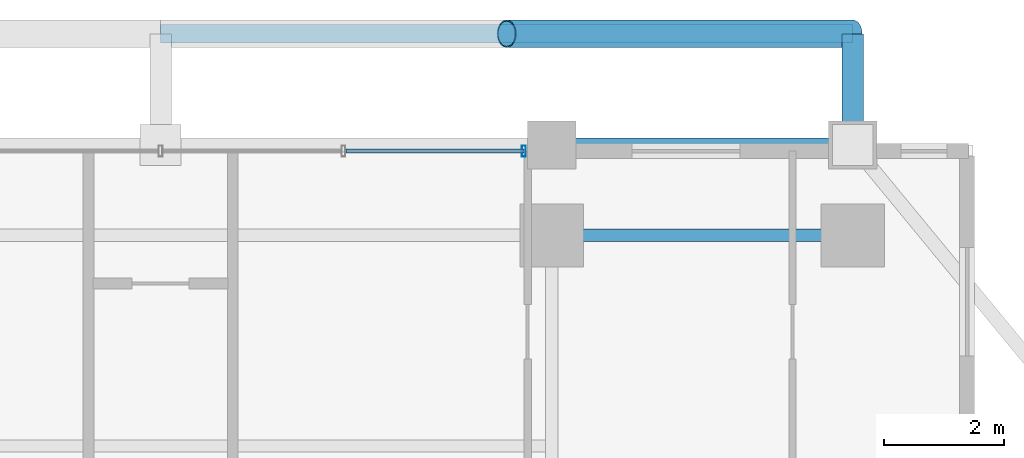
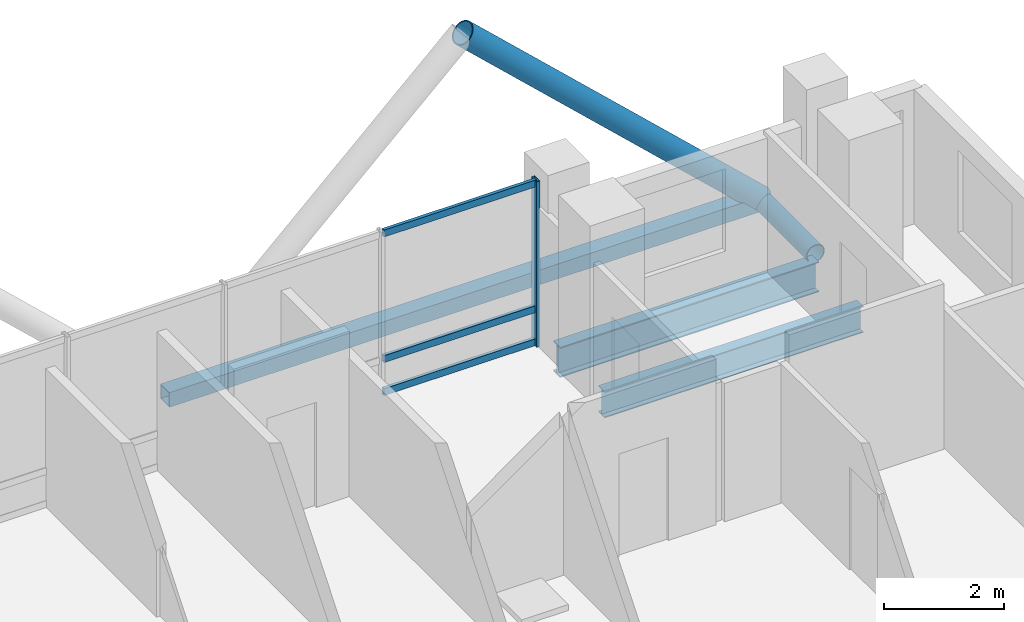
# One storey, part 18 of 26: 7 members, 2 beams, 1 element without a shape of its own.
"""IFC4 building model written with IfcOpenShell, lengths in metres."""

from ifc_helpers import new_model, si_unit, direction, frame, origin, origin_2d, place, context, subcontext, project, spatial, hollow_rectangle, hollow_circle, i_section, extrude, material, layer, layer_set, material_profile, profile_set, type_object, element, aggregate, save


model = new_model("IFC4")

# Units and contexts
model_context = context("Model", 3, precision=1e-05, world=origin(), true_north=direction((0.0, 1.0)))
body_context = subcontext(model_context, "Body", "Model", "MODEL_VIEW")
ifc_project = project(units=[si_unit("LENGTHUNIT", "METRE"), si_unit("AREAUNIT", "SQUARE_METRE"), si_unit("VOLUMEUNIT", "CUBIC_METRE"), si_unit("PLANEANGLEUNIT", "RADIAN"), si_unit("MASSUNIT", "GRAM", prefix="KILO")], contexts=[model_context])

# Site, building, storey
site_placement = place(None, origin())
site = spatial("IfcSite", under=ifc_project, at=site_placement, CompositionType="ELEMENT")
building_placement = place(site_placement, origin())
building = spatial("IfcBuilding", under=site, at=building_placement, Name="Barlavira Tower and Art Museum", CompositionType="ELEMENT")
storey_placement = place(building_placement, frame((0.0, 0.0, 176.39990234375)))
storey = spatial("IfcBuildingStorey", under=building, at=storey_placement, Name="L45", CompositionType="ELEMENT", Elevation=176.39990234375)

# Curtain wall, members
ifc_material_1 = material(Name="Low-iron coastal laminated glass", Category="glass")
ifc_layer = layer(ifc_material_1, 0.199951171875, Name="Low-iron coastal laminated glass")
ifc_layer_set = layer_set([ifc_layer], Name="Low-iron coastal laminated glass")
curtain_wall_type = type_object("IfcCurtainWallType", Name="Pale-Metal Unitised Curtain Wall Zone 3", PredefinedType="NOTDEFINED", material=ifc_layer_set)
curtain_wall_placement = place(storey_placement, origin())
curtain_wall = element("IfcCurtainWall", 1, at=curtain_wall_placement, inside=storey, type_object=curtain_wall_type, Name="L45 Curtain Wall CW3-L45-N-B3", PredefinedType="NOTDEFINED")
ifc_material_2 = material(Name="Pale anodised aluminium", Category="aluminium")
ifc_material_profile_1 = material_profile(ifc_material_2, hollow_rectangle(XDim=0.06494140625, YDim=0.179931640625, WallThickness=0.00390625, at=origin_2d()), Name="ALU-MULL 65x180x4")
ifc_profile_set_1 = profile_set([ifc_material_profile_1], Name="Pale anodised aluminium")
member_type_1 = type_object("IfcMemberType", Name="Curtain Wall Pale-Metal Mullion 65x180", PredefinedType="MULLION", material=ifc_profile_set_1)
member_1_placement = place(storey_placement, frame((6.034912109375, 21.39990234375, 0.0), z_axis=(0.0, 0.0, 1.0), x_axis=(-1.0, 0.0, 0.0)))
member_1 = element("IfcMember", 2, at=member_1_placement, type_object=member_type_1, Name="CW3-L45-N-B3 Mullion 0", PredefinedType="MULLION", context=body_context, shape_type="SweptSolid", body=[
    extrude(hollow_rectangle(XDim=0.06494140625, YDim=0.179931640625, WallThickness=0.00390625, at=origin_2d()), origin(), (0.0, 0.0, 1.0), 3.380126953125),
])
ifc_material_profile_2 = material_profile(ifc_material_2, hollow_rectangle(XDim=0.06494140625, YDim=0.139892578125, WallThickness=0.00390625, at=origin_2d()), Name="ALU-TRAN 65x140x4")
ifc_profile_set_2 = profile_set([ifc_material_profile_2], Name="Pale anodised aluminium")
member_type_2 = type_object("IfcMemberType", Name="Curtain Wall Pale-Metal Transom 65x140", PredefinedType="USERDEFINED", material=ifc_profile_set_2)
member_2_placement = place(storey_placement, frame((6.034912109375, 21.39990234375, 0.070068359375), z_axis=(-1.0, 0.0, 0.0), x_axis=(0.0, -1.0, 0.0)))
member_2 = element("IfcMember", 3, at=member_2_placement, type_object=member_type_2, Name="CW3-L45-N-B3 Transom 0.1", ObjectType="TRANSOM", PredefinedType="USERDEFINED", context=body_context, shape_type="SweptSolid", body=[
    extrude(hollow_rectangle(XDim=0.06494140625, YDim=0.139892578125, WallThickness=0.00390625, at=origin_2d()), origin(), (0.0, 0.0, 1.0), 2.949951171875),
])
member_3_placement = place(storey_placement, frame((6.034912109375, 21.39990234375, 0.744140625), z_axis=(-1.0, 0.0, 0.0), x_axis=(0.0, -1.0, 0.0)))
member_3 = element("IfcMember", 4, at=member_3_placement, type_object=member_type_2, Name="CW3-L45-N-B3 Transom 0.2", ObjectType="TRANSOM", PredefinedType="USERDEFINED", context=body_context, shape_type="SweptSolid", body=[
    extrude(hollow_rectangle(XDim=0.06494140625, YDim=0.139892578125, WallThickness=0.00390625, at=origin_2d()), origin(), (0.0, 0.0, 1.0), 2.949951171875),
])
member_4_placement = place(storey_placement, frame((6.034912109375, 21.39990234375, 3.31005859375), z_axis=(-1.0, 0.0, 0.0), x_axis=(0.0, -1.0, 0.0)))
member_4 = element("IfcMember", 5, at=member_4_placement, type_object=member_type_2, Name="CW3-L45-N-B3 Transom 0.3", ObjectType="TRANSOM", PredefinedType="USERDEFINED", context=body_context, shape_type="SweptSolid", body=[
    extrude(hollow_rectangle(XDim=0.06494140625, YDim=0.139892578125, WallThickness=0.00390625, at=origin_2d()), origin(), (0.0, 0.0, 1.0), 2.949951171875),
])
aggregate(curtain_wall, [member_1, member_2, member_3, member_4])

# Members
ifc_material_3 = material(Name="Steel S355", Category="steel")
ifc_material_profile_3 = material_profile(ifc_material_3, hollow_circle(Radius=0.228515625, WallThickness=0.02001953125, at=origin_2d()), Name="CHS 457.0x20.0")
ifc_profile_set_3 = profile_set([ifc_material_profile_3], Name="Steel S355")
member_type_3 = type_object("IfcMemberType", Name="Pale-Metal Exoskeleton Diagrid Tube CHS 457x20 Steel S355", PredefinedType="BRACE", material=ifc_profile_set_3)
member_5_placement = place(storey_placement, frame((11.5, 23.35009765625, -0.119873046875), z_axis=(-0.728950095515, 0.0, 0.684566839869), x_axis=(0.0, -1.0, 0.0)))
element("IfcMember", 6, at=member_5_placement, inside=storey, type_object=member_type_3, Name="L45 Exoskeleton Diagrid Tube N", PredefinedType="BRACE", context=body_context, shape_type="SweptSolid", body=[
    extrude(hollow_circle(Radius=0.228515625, WallThickness=0.02001953125, at=origin_2d()), origin(), (0.0, 0.0, 1.0), 7.887939453125),
])
ifc_material_profile_4 = material_profile(ifc_material_3, hollow_circle(Radius=0.177734375, WallThickness=0.01611328125, at=origin_2d()), Name="CHS 355.6x16.0")
ifc_profile_set_4 = profile_set([ifc_material_profile_4], Name="Steel S355")
member_type_4 = type_object("IfcMemberType", Name="Pale-Metal Exoskeleton Tie Strut CHS 356x16 Steel S355", PredefinedType="STRUT", material=ifc_profile_set_4)
member_6_placement = place(storey_placement, frame((11.5, 23.35009765625, -0.119873046875), z_axis=(0.0, -1.0, 0.0), x_axis=(1.0, 0.0, 0.0)))
element("IfcMember", 7, at=member_6_placement, inside=storey, type_object=member_type_4, Name="L45 Exoskeleton Tie Strut N3", PredefinedType="STRUT", context=body_context, shape_type="SweptSolid", body=[
    extrude(hollow_circle(Radius=0.177734375, WallThickness=0.01611328125, at=origin_2d()), origin(), (0.0, 0.0, 1.0), 1.85009765625),
])
ifc_material_profile_5 = material_profile(ifc_material_3, hollow_rectangle(XDim=0.300048828125, YDim=0.300048828125, WallThickness=0.01611328125, at=origin_2d()), Name="SHS 300x300x16.0")
ifc_profile_set_5 = profile_set([ifc_material_profile_5], Name="Steel S355")
member_type_5 = type_object("IfcMemberType", Name="Pale-Metal Upper Ring Strut SHS 300x300x16 Steel S355", PredefinedType="STRUT", material=ifc_profile_set_5)
member_7_placement = place(storey_placement, frame((0.0, 23.35009765625, -0.119873046875), z_axis=(1.0, 0.0, 0.0), x_axis=(0.0, 1.0, 0.0)))
element("IfcMember", 8, at=member_7_placement, inside=storey, type_object=member_type_5, Name="L45 Exoskeleton Ring Strut N", PredefinedType="STRUT", context=body_context, shape_type="SweptSolid", body=[
    extrude(hollow_rectangle(XDim=0.300048828125, YDim=0.300048828125, WallThickness=0.01611328125, at=origin_2d()), origin(), (0.0, 0.0, 1.0), 11.5),
])

# Beams
ifc_material_profile_6 = material_profile(ifc_material_3, i_section(OverallWidth=0.22998046875, OverallDepth=0.616943359375, WebThickness=0.01318359375, FlangeThickness=0.022216796875, at=origin_2d()), Name="W610x140.0")
ifc_profile_set_6 = profile_set([ifc_material_profile_6], Name="Steel S355")
beam_type_1 = type_object("IfcBeamType", Name="Upper Shaft Spandrel Edge Beam W610x140 Steel S355", PredefinedType="SPANDREL", material=ifc_profile_set_6)
beam_1_placement = place(storey_placement, frame((6.5, 21.5, -0.5283203125), z_axis=(1.0, 0.0, 0.0), x_axis=(0.0, 1.0, 0.0)))
element("IfcBeam", 9, at=beam_1_placement, inside=storey, type_object=beam_type_1, Name="L45 Spandrel 9", PredefinedType="SPANDREL", context=body_context, shape_type="SweptSolid", body=[
    extrude(i_section(OverallWidth=0.22998046875, OverallDepth=0.616943359375, WebThickness=0.01318359375, FlangeThickness=0.022216796875, at=origin_2d()), origin(), (0.0, 0.0, 1.0), 5.0),
])
ifc_material_profile_7 = material_profile(ifc_material_3, i_section(OverallWidth=0.2109375, OverallDepth=0.5390625, WebThickness=0.01171875, FlangeThickness=0.018798828125, at=origin_2d()), Name="W530x109.0")
ifc_profile_set_7 = profile_set([ifc_material_profile_7], Name="Steel S355")
beam_type_2 = type_object("IfcBeamType", Name="Zone 3-4 Primary Floor Girder W530x109 Steel S355", PredefinedType="BEAM", material=ifc_profile_set_7)
beam_2_placement = place(storey_placement, frame((6.5, 20.0, -0.489501953125), z_axis=(1.0, 0.0, 0.0), x_axis=(0.0, 1.0, 0.0)))
element("IfcBeam", 10, at=beam_2_placement, inside=storey, type_object=beam_type_2, Name="L45 Girder M-N3", PredefinedType="BEAM", context=body_context, shape_type="SweptSolid", body=[
    extrude(i_section(OverallWidth=0.2109375, OverallDepth=0.5390625, WebThickness=0.01171875, FlangeThickness=0.018798828125, at=origin_2d()), origin(), (0.0, 0.0, 1.0), 5.0),
])

save(model, "model.ifc")
